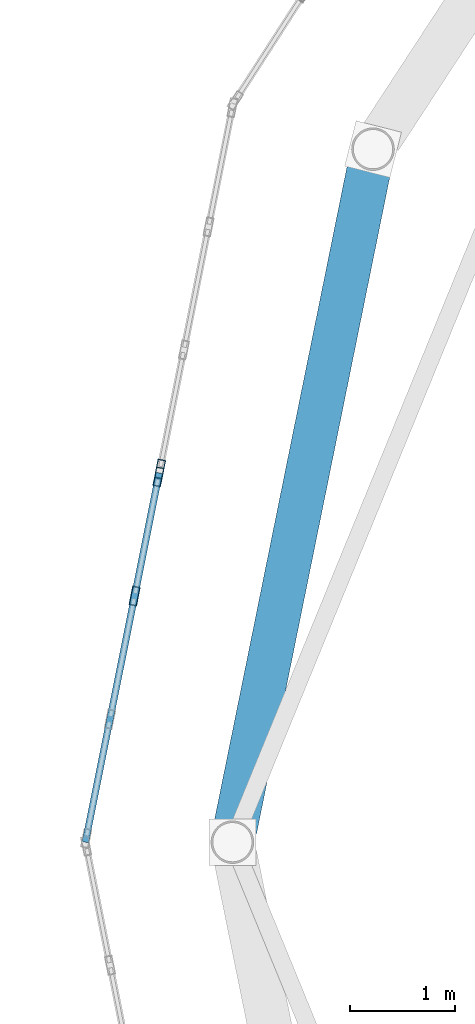
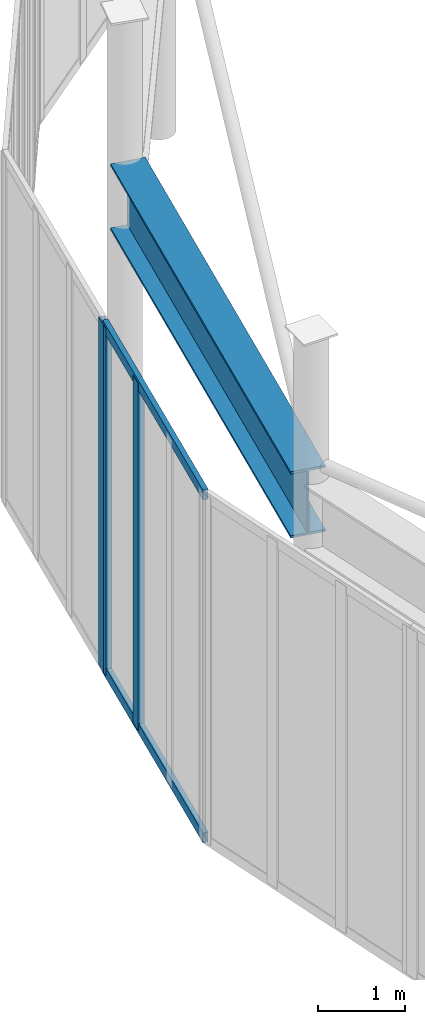
# One storey, part 30 of 91: 5 members, 1 beam, 2 elements without a shape of their own.
"""IFC4 building model written with IfcOpenShell, lengths in metres."""

from ifc_helpers import new_model, si_unit, direction, frame, origin, origin_2d, place, context, subcontext, project, spatial, hollow_rectangle, i_section, extrude, material, layer, layer_set, material_profile, profile_set, type_object, element, aggregate, save


model = new_model("IFC4")

# Units and contexts
model_context = context("Model", 3, precision=1e-05, world=origin(), true_north=direction((0.0, 1.0)))
body_context = subcontext(model_context, "Body", "Model", "MODEL_VIEW")
ifc_project = project(units=[si_unit("LENGTHUNIT", "METRE"), si_unit("AREAUNIT", "SQUARE_METRE"), si_unit("VOLUMEUNIT", "CUBIC_METRE"), si_unit("PLANEANGLEUNIT", "RADIAN"), si_unit("MASSUNIT", "GRAM", prefix="KILO")], contexts=[model_context])

# Site, building, storey
site_placement = place(None, origin())
site = spatial("IfcSite", under=ifc_project, at=site_placement, CompositionType="ELEMENT")
building_placement = place(site_placement, origin())
building = spatial("IfcBuilding", under=site, at=building_placement, Name="Sollismere Congress Hotel", CompositionType="ELEMENT")
storey_placement = place(building_placement, frame((0.0, 0.0, 10.800048828125)))
storey = spatial("IfcBuildingStorey", under=building, at=storey_placement, Name="L02", CompositionType="ELEMENT", Elevation=10.800048828125)

# Beam
ifc_material_1 = material(Name="Steel ASTM A992 Grade 50", Category="steel")
ifc_material_profile_1 = material_profile(ifc_material_1, i_section(OverallWidth=0.4189453125, OverallDepth=0.927001953125, WebThickness=0.019287109375, FlangeThickness=0.031982421875, at=origin_2d()), Name="W36X231")
ifc_profile_set_1 = profile_set([ifc_material_profile_1], Name="Steel ASTM A992 Grade 50")
beam_type = type_object("IfcBeamType", Name="BM-RG36", PredefinedType="SPANDREL", material=ifc_profile_set_1)
beam_placement = place(storey_placement, frame((2.964599609375, 96.8798828125, 4.156494140625), z_axis=(-0.198827417532, -0.980034518799, 0.0), x_axis=(0.980034518799, -0.198827417532, 0.0)))
element("IfcBeam", 1, at=beam_placement, inside=storey, type_object=beam_type, Name="Beam BM-L02-4215", PredefinedType="SPANDREL", context=body_context, shape_type="SweptSolid", body=[
    extrude(i_section(OverallWidth=0.4189453125, OverallDepth=0.927001953125, WebThickness=0.019287109375, FlangeThickness=0.031982421875, at=origin_2d()), origin(), (0.0, 0.0, 1.0), 6.491943359375),
])

# Curtain wall, member
ifc_material_2 = material(Name="Anodized Bronze Curtain Wall & Low-E Triple Glazing", Category="glass")
ifc_layer = layer(ifc_material_2, 0.199951171875, Name="Anodized Bronze Curtain Wall & Low-E Triple Glazing")
ifc_layer_set = layer_set([ifc_layer], Name="Anodized Bronze Curtain Wall & Low-E Triple Glazing")
curtain_wall_type = type_object("IfcCurtainWallType", Name="CW-GLZ36", PredefinedType="USERDEFINED", material=ifc_layer_set)
curtain_wall_1_placement = place(storey_placement, origin())
curtain_wall_1 = element("IfcCurtainWall", 2, at=curtain_wall_1_placement, inside=storey, type_object=curtain_wall_type, Name="Unitised curtain wall CW-L02-041", ObjectType="UNITISED CURTAIN WALL", PredefinedType="USERDEFINED")
ifc_material_3 = material(Name="Anodized Aluminum 6063-T6", Category="aluminium")
ifc_material_profile_2 = material_profile(ifc_material_3, hollow_rectangle(XDim=0.074951171875, YDim=0.179931640625, WallThickness=0.0048828125, at=origin_2d()), Name="ALU180X75X5")
ifc_profile_set_2 = profile_set([ifc_material_profile_2], Name="Anodized Aluminum 6063-T6")
member_type_1 = type_object("IfcMemberType", Name="ML-CW180", PredefinedType="MULLION", material=ifc_profile_set_2)
member_1_placement = place(storey_placement, frame((0.9609375, 93.952392578125, 0.0), z_axis=(0.0, 0.0, 1.0), x_axis=(0.98055305186, -0.196254203749, 0.0)))
member_1 = element("IfcMember", 3, at=member_1_placement, type_object=member_type_1, Name="CWL-CW-L02-041-ML04", PredefinedType="MULLION", context=body_context, shape_type="SweptSolid", body=[
    extrude(hollow_rectangle(XDim=0.074951171875, YDim=0.179931640625, WallThickness=0.0048828125, at=origin_2d()), origin(), (0.0, 0.0, 1.0), 4.85986328125),
])
aggregate(curtain_wall_1, [member_1])

# Curtain wall, members
curtain_wall_2_placement = place(storey_placement, origin())
curtain_wall_2 = element("IfcCurtainWall", 4, at=curtain_wall_2_placement, inside=storey, type_object=curtain_wall_type, Name="Unitised curtain wall CW-L02-042", ObjectType="UNITISED CURTAIN WALL", PredefinedType="USERDEFINED")
member_2_placement = place(storey_placement, frame((0.946044921875, 93.877685546875, 0.0), z_axis=(0.0, 0.0, 1.0), x_axis=(0.98055305186, -0.196254203749, 0.0)))
member_2 = element("IfcMember", 5, at=member_2_placement, type_object=member_type_1, Name="CWL-CW-L02-042-ML01", PredefinedType="MULLION", context=body_context, shape_type="SweptSolid", body=[
    extrude(hollow_rectangle(XDim=0.074951171875, YDim=0.179931640625, WallThickness=0.0048828125, at=origin_2d()), origin(), (0.0, 0.0, 1.0), 4.85986328125),
])
member_3_placement = place(storey_placement, frame((0.718994140625, 92.743408203125, 0.0), z_axis=(0.0, 0.0, 1.0), x_axis=(0.98055305186, -0.196254203749, 0.0)))
member_3 = element("IfcMember", 6, at=member_3_placement, type_object=member_type_1, Name="CWL-CW-L02-042-ML02", PredefinedType="MULLION", context=body_context, shape_type="SweptSolid", body=[
    extrude(hollow_rectangle(XDim=0.074951171875, YDim=0.179931640625, WallThickness=0.0048828125, at=origin_2d()), origin(), (0.0, 0.0, 1.0), 4.85986328125),
])
ifc_material_profile_3 = material_profile(ifc_material_3, hollow_rectangle(XDim=0.06494140625, YDim=0.139892578125, WallThickness=0.00390625, at=origin_2d()), Name="ALU140X65X4")
ifc_profile_set_3 = profile_set([ifc_material_profile_3], Name="Anodized Aluminum 6063-T6")
member_type_2 = type_object("IfcMemberType", Name="TR-CW150", PredefinedType="MEMBER", material=ifc_profile_set_3)
member_4_placement = place(storey_placement, frame((0.95361328125, 93.9150390625, 0.032470703125), z_axis=(-0.196273293747, -0.980549230871, 0.0), x_axis=(0.980549230871, -0.196273293747, 0.0)))
member_4 = element("IfcMember", 7, at=member_4_placement, type_object=member_type_2, Name="CWL-CW-L02-042-TR1", PredefinedType="MEMBER", context=body_context, shape_type="SweptSolid", body=[
    extrude(hollow_rectangle(XDim=0.06494140625, YDim=0.139892578125, WallThickness=0.00390625, at=origin_2d()), origin(), (0.0, 0.0, 1.0), 3.5849609375),
])
member_5_placement = place(storey_placement, frame((0.95361328125, 93.9150390625, 4.827392578125), z_axis=(-0.196273293747, -0.980549230871, 0.0), x_axis=(0.980549230871, -0.196273293747, 0.0)))
member_5 = element("IfcMember", 8, at=member_5_placement, type_object=member_type_2, Name="CWL-CW-L02-042-TR2", PredefinedType="MEMBER", context=body_context, shape_type="SweptSolid", body=[
    extrude(hollow_rectangle(XDim=0.06494140625, YDim=0.139892578125, WallThickness=0.00390625, at=origin_2d()), origin(), (0.0, 0.0, 1.0), 3.5849609375),
])
aggregate(curtain_wall_2, [member_2, member_3, member_4, member_5])

save(model, "model.ifc")
